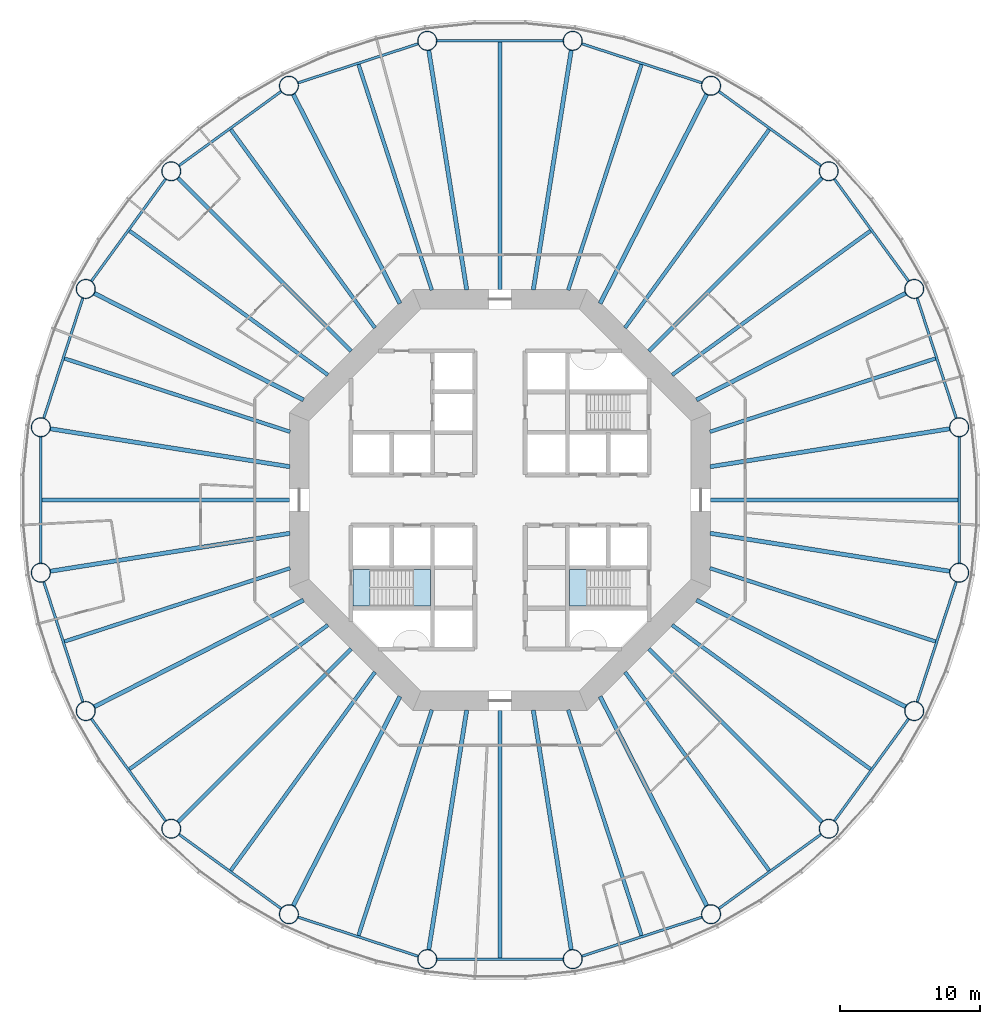
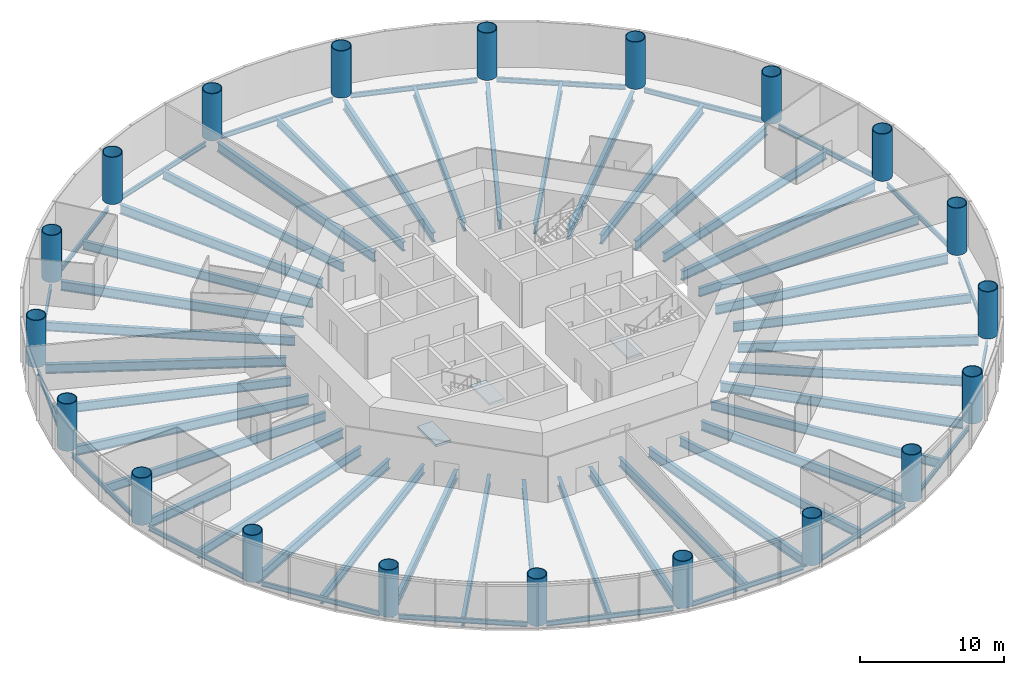
# One storey, part 1 of 12: 60 beams, 20 columns, 3 slabs, 2 elements without a shape of their own.
"""IFC4 building model written with IfcOpenShell, lengths in metres."""

from ifc_helpers import new_model, si_unit, direction, frame, origin, origin_2d, place, context, subcontext, project, spatial, polyline, circle, hollow_circle, i_section, outline, extrude, material, layer, layer_set, material_profile, profile_set, type_object, element, aggregate, save


model = new_model("IFC4")

# Units and contexts
model_context = context("Model", 3, precision=1e-05, world=origin(), true_north=direction((0.0, 1.0)))
body_context = subcontext(model_context, "Body", "Model", "MODEL_VIEW")
ifc_project = project(units=[si_unit("LENGTHUNIT", "METRE"), si_unit("AREAUNIT", "SQUARE_METRE"), si_unit("VOLUMEUNIT", "CUBIC_METRE"), si_unit("PLANEANGLEUNIT", "RADIAN"), si_unit("MASSUNIT", "GRAM", prefix="KILO")], contexts=[model_context])

# Site, building, storey
site_placement = place(None, origin())
site = spatial("IfcSite", under=ifc_project, at=site_placement, CompositionType="ELEMENT")
building_placement = place(site_placement, origin())
building = spatial("IfcBuilding", under=site, at=building_placement, Name="Entoto Ring Tower", CompositionType="ELEMENT")
storey_placement = place(building_placement, frame((0.0, 0.0, 66.0)))
storey = spatial("IfcBuildingStorey", under=building, at=storey_placement, Name="L14", CompositionType="ELEMENT", Elevation=66.0)

# Columns
ifc_material_1 = material(Name="Steel S355", Category="steel")
ifc_material_profile_1 = material_profile(ifc_material_1, hollow_circle(Radius=0.699951171875, WallThickness=0.06005859375, at=origin_2d()), Name="CHS 1400 x 60")
ifc_material_2 = material(Name="Concrete C60/75", Category="concrete")
ifc_material_profile_2 = material_profile(ifc_material_2, circle(Radius=0.639892578125, at=origin_2d()), Name="Concrete C60/75 infill")
ifc_profile_set_1 = profile_set([ifc_material_profile_1, ifc_material_profile_2], Name="Steel S355")
column_type = type_object("IfcColumnType", Name="Ring column 1400 x 60 concrete-filled tube", PredefinedType="COLUMN", material=ifc_profile_set_1)
for number, where, z_axis, x_axis, name in (
    (1, (122.6923828125, 85.177978515625, 0.0), (0.0, 0.0, 1.0), (1.0, 0.0, 0.0), "RC1 R01"),
    (2, (119.492431640625, 95.027099609375, 0.0), (0.0, 0.0, 1.0), (1.0, 0.0, 0.0), "RC1 R02"),
    (3, (113.4052734375, 103.4052734375, 0.0), (0.0, 0.0, 1.0), (1.0, 0.0, 0.0), "RC1 R03"),
    (4, (105.027099609375, 109.492431640625, 0.0), (0.0, 0.0, 1.0), (1.0, 0.0, 0.0), "RC1 R04"),
    (5, (95.177978515625, 112.6923828125, 0.0), (0.0, 0.0, 1.0), (1.0, 0.0, 0.0), "RC1 R05"),
    (6, (84.822021484375, 112.6923828125, 0.0), (0.0, 0.0, 1.0), (1.0, 0.0, 0.0), "RC1 R06"),
    (7, (74.972900390625, 109.492431640625, 0.0), (0.0, 0.0, 1.0), (1.0, 0.0, 0.0), "RC1 R07"),
    (8, (66.5947265625, 103.4052734375, 0.0), (0.0, 0.0, 1.0), (1.0, 0.0, 0.0), "RC1 R08"),
    (9, (60.507568359375, 95.027099609375, 0.0), (0.0, 0.0, 1.0), (1.0, 0.0, 0.0), "RC1 R09"),
    (10, (57.3076171875, 85.177978515625, 0.0), (0.0, 0.0, 1.0), (1.0, 0.0, 0.0), "RC1 R10"),
    (11, (57.3076171875, 74.822021484375, 0.0), (0.0, 0.0, 1.0), (1.0, 0.0, 0.0), "RC1 R11"),
    (12, (60.507568359375, 64.972900390625, 0.0), (0.0, 0.0, 1.0), (1.0, 0.0, 0.0), "RC1 R12"),
    (13, (66.5947265625, 56.5947265625, 0.0), (0.0, 0.0, 1.0), (1.0, 0.0, 0.0), "RC1 R13"),
    (14, (74.972900390625, 50.507568359375, 0.0), (0.0, 0.0, 1.0), (1.0, 0.0, 0.0), "RC1 R14"),
    (15, (84.822021484375, 47.3076171875, 0.0), (0.0, 0.0, 1.0), (1.0, 0.0, 0.0), "RC1 R15"),
    (16, (95.177978515625, 47.3076171875, 0.0), (0.0, 0.0, 1.0), (1.0, 0.0, 0.0), "RC1 R16"),
    (17, (105.027099609375, 50.507568359375, 0.0), (0.0, 0.0, 1.0), (1.0, 0.0, 0.0), "RC1 R17"),
    (18, (113.4052734375, 56.5947265625, 0.0), (0.0, 0.0, 1.0), (1.0, 0.0, 0.0), "RC1 R18"),
    (19, (119.492431640625, 64.972900390625, 0.0), (0.0, 0.0, 1.0), (1.0, 0.0, 0.0), "RC1 R19"),
    (20, (122.6923828125, 74.822021484375, 0.0), (0.0, 0.0, 1.0), (1.0, 0.0, 0.0), "RC1 R20"),
):
    element("IfcColumn", number, at=place(storey_placement, frame(where, z_axis=z_axis, x_axis=x_axis)), inside=storey, type_object=column_type, Name=name, PredefinedType="COLUMN", context=body_context, shape_type="SweptSolid", body=[
        extrude(hollow_circle(Radius=0.699951171875, WallThickness=0.06005859375, at=origin_2d()), origin(), (0.0, 0.0, 1.0), 4.0),
    ])

# Beams
ifc_material_3 = material(Name="Steel S355", Category="steel")
ifc_material_profile_3 = material_profile(ifc_material_3, i_section(OverallWidth=0.179931640625, OverallDepth=0.39990234375, WebThickness=0.008544921875, FlangeThickness=0.013427734375, FilletRadius=0.02099609375, at=origin_2d()), Name="IPE 400")
ifc_profile_set_2 = profile_set([ifc_material_profile_3], Name="Steel S355")
beam_type_1 = type_object("IfcBeamType", Name="Edge beam IPE 400", PredefinedType="SPANDREL", material=ifc_profile_set_2)
for number, where, z_axis, x_axis, name in (
    (21, (122.484130859375, 85.819091796875, -0.35009765625), (-0.309006400295, 0.951059958455, 0.0), (-0.951059958455, -0.309006400295, 0.0), "Edge beam L14 01"),
    (22, (119.09619140625, 95.572509765625, -0.35009765625), (-0.587792917156, 0.80901142547, 0.0), (-0.80901142547, -0.587792917156, 0.0), "Edge beam L14 02"),
    (23, (112.85986328125, 103.801513671875, -0.35009765625), (-0.80901142547, 0.587792917156, 0.0), (-0.587792917156, -0.80901142547, 0.0), "Edge beam L14 03"),
    (24, (104.385986328125, 109.70068359375, -0.35009765625), (-0.951059958455, 0.309006400295, 0.0), (-0.309006400295, -0.951059958455, 0.0), "Edge beam L14 04"),
    (25, (94.50390625, 112.6923828125, -0.35009765625), (-1.0, 0.0, 0.0), (0.0, -1.0, 0.0), "Edge beam L14 05"),
    (26, (84.180908203125, 112.484130859375, -0.35009765625), (-0.951059958455, -0.309006400295, 0.0), (0.309006400295, -0.951059958455, 0.0), "Edge beam L14 06"),
    (27, (74.427490234375, 109.09619140625, -0.35009765625), (-0.80901142547, -0.587792917156, 0.0), (0.587792917156, -0.80901142547, 0.0), "Edge beam L14 07"),
    (28, (66.198486328125, 102.85986328125, -0.35009765625), (-0.587792917156, -0.80901142547, 0.0), (0.80901142547, -0.587792917156, 0.0), "Edge beam L14 08"),
    (29, (60.29931640625, 94.385986328125, -0.35009765625), (-0.309006400295, -0.951059958455, 0.0), (0.951059958455, -0.309006400295, 0.0), "Edge beam L14 09"),
    (30, (57.3076171875, 84.50390625, -0.35009765625), (0.0, -1.0, 0.0), (1.0, 0.0, 0.0), "Edge beam L14 10"),
    (31, (57.515869140625, 74.180908203125, -0.35009765625), (0.309006400295, -0.951059958455, 0.0), (0.951059958455, 0.309006400295, 0.0), "Edge beam L14 11"),
    (32, (60.90380859375, 64.427490234375, -0.35009765625), (0.587792917156, -0.80901142547, 0.0), (0.80901142547, 0.587792917156, 0.0), "Edge beam L14 12"),
    (33, (67.14013671875, 56.198486328125, -0.35009765625), (0.80901142547, -0.587792917156, 0.0), (0.587792917156, 0.80901142547, 0.0), "Edge beam L14 13"),
    (34, (75.614013671875, 50.29931640625, -0.35009765625), (0.951059958455, -0.309006400295, 0.0), (0.309006400295, 0.951059958455, 0.0), "Edge beam L14 14"),
    (35, (85.49609375, 47.3076171875, -0.35009765625), (1.0, 0.0, 0.0), (0.0, 1.0, 0.0), "Edge beam L14 15"),
    (36, (95.819091796875, 47.515869140625, -0.35009765625), (0.951059958455, 0.309006400295, 0.0), (-0.309006400295, 0.951059958455, 0.0), "Edge beam L14 16"),
    (37, (105.572509765625, 50.90380859375, -0.35009765625), (0.80901142547, 0.587792917156, 0.0), (-0.587792917156, 0.80901142547, 0.0), "Edge beam L14 17"),
    (38, (113.801513671875, 57.14013671875, -0.35009765625), (0.587792917156, 0.80901142547, 0.0), (-0.80901142547, 0.587792917156, 0.0), "Edge beam L14 18"),
    (39, (119.70068359375, 65.614013671875, -0.35009765625), (0.309006400295, 0.951059958455, 0.0), (-0.951059958455, 0.309006400295, 0.0), "Edge beam L14 19"),
    (40, (122.6923828125, 75.49609375, -0.35009765625), (0.0, 1.0, 0.0), (-1.0, 0.0, 0.0), "Edge beam L14 20"),
):
    element("IfcBeam", number, at=place(storey_placement, frame(where, z_axis=z_axis, x_axis=x_axis)), inside=storey, type_object=beam_type_1, Name=name, PredefinedType="SPANDREL", context=body_context, shape_type="SweptSolid", body=[
        extrude(i_section(OverallWidth=0.179931640625, OverallDepth=0.39990234375, WebThickness=0.008544921875, FlangeThickness=0.013427734375, FilletRadius=0.02099609375, at=origin_2d()), origin(), (0.0, 0.0, 1.0), 9.0078125),
    ])
ifc_material_4 = material(Name="Steel S355", Category="steel")
ifc_material_profile_4 = material_profile(ifc_material_4, i_section(OverallWidth=0.300048828125, OverallDepth=0.800048828125, WebThickness=0.017578125, FlangeThickness=0.032958984375, FilletRadius=0.030029296875, at=origin_2d()), Name="HE 800 B")
ifc_profile_set_3 = profile_set([ifc_material_profile_4], Name="Steel S355")
beam_type_2 = type_object("IfcBeamType", Name="Primary floor beam HE 800 B", PredefinedType="BEAM", material=ifc_profile_set_3)
beam_1_placement = place(storey_placement, frame((104.956787109375, 82.368896484375, -0.550048828125), z_axis=(0.98768775999, 0.156438130794, 0.0), x_axis=(-0.156438130794, 0.98768775999, 0.0)))
element("IfcBeam", 41, at=beam_1_placement, inside=storey, type_object=beam_type_2, Name="Primary L14 R01", PredefinedType="BEAM", context=body_context, shape_type="SweptSolid", body=[
    extrude(i_section(OverallWidth=0.300048828125, OverallDepth=0.800048828125, WebThickness=0.017578125, FlangeThickness=0.032958984375, FilletRadius=0.030029296875, at=origin_2d()), origin(), (0.0, 0.0, 1.0), 17.293212890625),
])
beam_2_placement = place(storey_placement, frame((103.99169921875, 87.129150390625, -0.550048828125), z_axis=(0.891007761657, 0.453988071063, 0.0), x_axis=(-0.453988071063, 0.891007761657, 0.0)))
element("IfcBeam", 42, at=beam_2_placement, inside=storey, type_object=beam_type_2, Name="Primary L14 R02", PredefinedType="BEAM", context=body_context, shape_type="SweptSolid", body=[
    extrude(i_section(OverallWidth=0.300048828125, OverallDepth=0.800048828125, WebThickness=0.017578125, FlangeThickness=0.032958984375, FilletRadius=0.030029296875, at=origin_2d()), origin(), (0.0, 0.0, 1.0), 16.733154296875),
])
beam_3_placement = place(storey_placement, frame((100.592529296875, 90.592529296875, -0.550048828125), z_axis=(0.707106781187, 0.707106781187, 0.0), x_axis=(-0.707106781187, 0.707106781187, 0.0)))
element("IfcBeam", 43, at=beam_3_placement, inside=storey, type_object=beam_type_2, Name="Primary L14 R03", PredefinedType="BEAM", context=body_context, shape_type="SweptSolid", body=[
    extrude(i_section(OverallWidth=0.300048828125, OverallDepth=0.800048828125, WebThickness=0.017578125, FlangeThickness=0.032958984375, FilletRadius=0.030029296875, at=origin_2d()), origin(), (0.0, 0.0, 1.0), 17.456298828125),
])
beam_4_placement = place(storey_placement, frame((97.129150390625, 93.99169921875, -0.550048828125), z_axis=(0.453988071063, 0.891007761657, 0.0), x_axis=(-0.891007761657, 0.453988071063, 0.0)))
element("IfcBeam", 44, at=beam_4_placement, inside=storey, type_object=beam_type_2, Name="Primary L14 R04", PredefinedType="BEAM", context=body_context, shape_type="SweptSolid", body=[
    extrude(i_section(OverallWidth=0.300048828125, OverallDepth=0.800048828125, WebThickness=0.017578125, FlangeThickness=0.032958984375, FilletRadius=0.030029296875, at=origin_2d()), origin(), (0.0, 0.0, 1.0), 16.733154296875),
])
for number, where, z_axis, x_axis, name in (
    (45, (92.368896484375, 94.956787109375, -0.550048828125), (0.156438130794, 0.98768775999, 0.0), (-0.98768775999, 0.156438130794, 0.0), "Primary L14 R05"),
    (46, (87.631103515625, 94.956787109375, -0.550048828125), (-0.156438130794, 0.98768775999, 0.0), (-0.98768775999, -0.156438130794, 0.0), "Primary L14 R06"),
):
    element("IfcBeam", number, at=place(storey_placement, frame(where, z_axis=z_axis, x_axis=x_axis)), inside=storey, type_object=beam_type_2, Name=name, PredefinedType="BEAM", context=body_context, shape_type="SweptSolid", body=[
        extrude(i_section(OverallWidth=0.300048828125, OverallDepth=0.800048828125, WebThickness=0.017578125, FlangeThickness=0.032958984375, FilletRadius=0.030029296875, at=origin_2d()), origin(), (0.0, 0.0, 1.0), 17.293212890625),
    ])
beam_5_placement = place(storey_placement, frame((82.870849609375, 93.99169921875, -0.550048828125), z_axis=(-0.453988071063, 0.891007761657, 0.0), x_axis=(-0.891007761657, -0.453988071063, 0.0)))
element("IfcBeam", 47, at=beam_5_placement, inside=storey, type_object=beam_type_2, Name="Primary L14 R07", PredefinedType="BEAM", context=body_context, shape_type="SweptSolid", body=[
    extrude(i_section(OverallWidth=0.300048828125, OverallDepth=0.800048828125, WebThickness=0.017578125, FlangeThickness=0.032958984375, FilletRadius=0.030029296875, at=origin_2d()), origin(), (0.0, 0.0, 1.0), 16.733154296875),
])
beam_6_placement = place(storey_placement, frame((79.407470703125, 90.592529296875, -0.550048828125), z_axis=(-0.707106781187, 0.707106781187, 0.0), x_axis=(-0.707106781187, -0.707106781187, 0.0)))
element("IfcBeam", 48, at=beam_6_placement, inside=storey, type_object=beam_type_2, Name="Primary L14 R08", PredefinedType="BEAM", context=body_context, shape_type="SweptSolid", body=[
    extrude(i_section(OverallWidth=0.300048828125, OverallDepth=0.800048828125, WebThickness=0.017578125, FlangeThickness=0.032958984375, FilletRadius=0.030029296875, at=origin_2d()), origin(), (0.0, 0.0, 1.0), 17.456298828125),
])
beam_7_placement = place(storey_placement, frame((76.00830078125, 87.129150390625, -0.550048828125), z_axis=(-0.891007761657, 0.453988071063, 0.0), x_axis=(-0.453988071063, -0.891007761657, 0.0)))
element("IfcBeam", 49, at=beam_7_placement, inside=storey, type_object=beam_type_2, Name="Primary L14 R09", PredefinedType="BEAM", context=body_context, shape_type="SweptSolid", body=[
    extrude(i_section(OverallWidth=0.300048828125, OverallDepth=0.800048828125, WebThickness=0.017578125, FlangeThickness=0.032958984375, FilletRadius=0.030029296875, at=origin_2d()), origin(), (0.0, 0.0, 1.0), 16.733154296875),
])
for number, where, z_axis, x_axis, name in (
    (50, (75.043212890625, 82.368896484375, -0.550048828125), (-0.98768775999, 0.156438130794, 0.0), (-0.156438130794, -0.98768775999, 0.0), "Primary L14 R10"),
    (51, (75.043212890625, 77.631103515625, -0.550048828125), (-0.98768775999, -0.156438130794, 0.0), (0.156438130794, -0.98768775999, 0.0), "Primary L14 R11"),
):
    element("IfcBeam", number, at=place(storey_placement, frame(where, z_axis=z_axis, x_axis=x_axis)), inside=storey, type_object=beam_type_2, Name=name, PredefinedType="BEAM", context=body_context, shape_type="SweptSolid", body=[
        extrude(i_section(OverallWidth=0.300048828125, OverallDepth=0.800048828125, WebThickness=0.017578125, FlangeThickness=0.032958984375, FilletRadius=0.030029296875, at=origin_2d()), origin(), (0.0, 0.0, 1.0), 17.293212890625),
    ])
beam_8_placement = place(storey_placement, frame((76.00830078125, 72.870849609375, -0.550048828125), z_axis=(-0.891007761657, -0.453988071063, 0.0), x_axis=(0.453988071063, -0.891007761657, 0.0)))
element("IfcBeam", 52, at=beam_8_placement, inside=storey, type_object=beam_type_2, Name="Primary L14 R12", PredefinedType="BEAM", context=body_context, shape_type="SweptSolid", body=[
    extrude(i_section(OverallWidth=0.300048828125, OverallDepth=0.800048828125, WebThickness=0.017578125, FlangeThickness=0.032958984375, FilletRadius=0.030029296875, at=origin_2d()), origin(), (0.0, 0.0, 1.0), 16.733154296875),
])
beam_9_placement = place(storey_placement, frame((79.407470703125, 69.407470703125, -0.550048828125), z_axis=(-0.707106781187, -0.707106781187, 0.0), x_axis=(0.707106781187, -0.707106781187, 0.0)))
element("IfcBeam", 53, at=beam_9_placement, inside=storey, type_object=beam_type_2, Name="Primary L14 R13", PredefinedType="BEAM", context=body_context, shape_type="SweptSolid", body=[
    extrude(i_section(OverallWidth=0.300048828125, OverallDepth=0.800048828125, WebThickness=0.017578125, FlangeThickness=0.032958984375, FilletRadius=0.030029296875, at=origin_2d()), origin(), (0.0, 0.0, 1.0), 17.456298828125),
])
beam_10_placement = place(storey_placement, frame((82.870849609375, 66.00830078125, -0.550048828125), z_axis=(-0.453988071063, -0.891007761657, 0.0), x_axis=(0.891007761657, -0.453988071063, 0.0)))
element("IfcBeam", 54, at=beam_10_placement, inside=storey, type_object=beam_type_2, Name="Primary L14 R14", PredefinedType="BEAM", context=body_context, shape_type="SweptSolid", body=[
    extrude(i_section(OverallWidth=0.300048828125, OverallDepth=0.800048828125, WebThickness=0.017578125, FlangeThickness=0.032958984375, FilletRadius=0.030029296875, at=origin_2d()), origin(), (0.0, 0.0, 1.0), 16.733154296875),
])
for number, where, z_axis, x_axis, name in (
    (55, (87.631103515625, 65.043212890625, -0.550048828125), (-0.156438130794, -0.98768775999, 0.0), (0.98768775999, -0.156438130794, 0.0), "Primary L14 R15"),
    (56, (92.368896484375, 65.043212890625, -0.550048828125), (0.156438130794, -0.98768775999, 0.0), (0.98768775999, 0.156438130794, 0.0), "Primary L14 R16"),
):
    element("IfcBeam", number, at=place(storey_placement, frame(where, z_axis=z_axis, x_axis=x_axis)), inside=storey, type_object=beam_type_2, Name=name, PredefinedType="BEAM", context=body_context, shape_type="SweptSolid", body=[
        extrude(i_section(OverallWidth=0.300048828125, OverallDepth=0.800048828125, WebThickness=0.017578125, FlangeThickness=0.032958984375, FilletRadius=0.030029296875, at=origin_2d()), origin(), (0.0, 0.0, 1.0), 17.293212890625),
    ])
beam_11_placement = place(storey_placement, frame((97.129150390625, 66.00830078125, -0.550048828125), z_axis=(0.453988071063, -0.891007761657, 0.0), x_axis=(0.891007761657, 0.453988071063, 0.0)))
element("IfcBeam", 57, at=beam_11_placement, inside=storey, type_object=beam_type_2, Name="Primary L14 R17", PredefinedType="BEAM", context=body_context, shape_type="SweptSolid", body=[
    extrude(i_section(OverallWidth=0.300048828125, OverallDepth=0.800048828125, WebThickness=0.017578125, FlangeThickness=0.032958984375, FilletRadius=0.030029296875, at=origin_2d()), origin(), (0.0, 0.0, 1.0), 16.733154296875),
])
beam_12_placement = place(storey_placement, frame((100.592529296875, 69.407470703125, -0.550048828125), z_axis=(0.707106781187, -0.707106781187, 0.0), x_axis=(0.707106781187, 0.707106781187, 0.0)))
element("IfcBeam", 58, at=beam_12_placement, inside=storey, type_object=beam_type_2, Name="Primary L14 R18", PredefinedType="BEAM", context=body_context, shape_type="SweptSolid", body=[
    extrude(i_section(OverallWidth=0.300048828125, OverallDepth=0.800048828125, WebThickness=0.017578125, FlangeThickness=0.032958984375, FilletRadius=0.030029296875, at=origin_2d()), origin(), (0.0, 0.0, 1.0), 17.456298828125),
])
beam_13_placement = place(storey_placement, frame((103.99169921875, 72.870849609375, -0.550048828125), z_axis=(0.891007761657, -0.453988071063, 0.0), x_axis=(0.453988071063, 0.891007761657, 0.0)))
element("IfcBeam", 59, at=beam_13_placement, inside=storey, type_object=beam_type_2, Name="Primary L14 R19", PredefinedType="BEAM", context=body_context, shape_type="SweptSolid", body=[
    extrude(i_section(OverallWidth=0.300048828125, OverallDepth=0.800048828125, WebThickness=0.017578125, FlangeThickness=0.032958984375, FilletRadius=0.030029296875, at=origin_2d()), origin(), (0.0, 0.0, 1.0), 16.733154296875),
])
beam_14_placement = place(storey_placement, frame((104.956787109375, 77.631103515625, -0.550048828125), z_axis=(0.98768775999, -0.156438130794, 0.0), x_axis=(0.156438130794, 0.98768775999, 0.0)))
element("IfcBeam", 60, at=beam_14_placement, inside=storey, type_object=beam_type_2, Name="Primary L14 R20", PredefinedType="BEAM", context=body_context, shape_type="SweptSolid", body=[
    extrude(i_section(OverallWidth=0.300048828125, OverallDepth=0.800048828125, WebThickness=0.017578125, FlangeThickness=0.032958984375, FilletRadius=0.030029296875, at=origin_2d()), origin(), (0.0, 0.0, 1.0), 17.293212890625),
])
ifc_material_5 = material(Name="Steel S355", Category="steel")
ifc_material_profile_5 = material_profile(ifc_material_5, i_section(OverallWidth=0.262939453125, OverallDepth=0.7529296875, WebThickness=0.011474609375, FlangeThickness=0.01708984375, FilletRadius=0.01708984375, at=origin_2d()), Name="IPE 750 x 137")
ifc_profile_set_4 = profile_set([ifc_material_profile_5], Name="Steel S355")
beam_type_3 = type_object("IfcBeamType", Name="Secondary floor beam IPE 750 x 137", PredefinedType="JOIST", material=ifc_profile_set_4)
beam_15_placement = place(storey_placement, frame((104.9404296875, 84.8544921875, -0.526611328125), z_axis=(0.951057855768, 0.30901287187, 0.0), x_axis=(-0.30901287187, 0.951057855768, 0.0)))
element("IfcBeam", 61, at=beam_15_placement, inside=storey, type_object=beam_type_3, Name="Secondary beam L14 01", PredefinedType="JOIST", context=body_context, shape_type="SweptSolid", body=[
    extrude(i_section(OverallWidth=0.262939453125, OverallDepth=0.7529296875, WebThickness=0.011474609375, FlangeThickness=0.01708984375, FilletRadius=0.01708984375, at=origin_2d()), origin(), (0.0, 0.0, 1.0), 16.893310546875),
])
for number, where, z_axis, x_axis, name in (
    (62, (102.25341796875, 88.902587890625, -0.526611328125), (0.809014194973, 0.58778910532, 0.0), (-0.58778910532, 0.809014194973, 0.0), "Secondary beam L14 02"),
    (63, (98.902587890625, 92.25341796875, -0.526611328125), (0.58778910532, 0.809014194973, 0.0), (-0.809014194973, 0.58778910532, 0.0), "Secondary beam L14 03"),
):
    element("IfcBeam", number, at=place(storey_placement, frame(where, z_axis=z_axis, x_axis=x_axis)), inside=storey, type_object=beam_type_3, Name=name, PredefinedType="JOIST", context=body_context, shape_type="SweptSolid", body=[
        extrude(i_section(OverallWidth=0.262939453125, OverallDepth=0.7529296875, WebThickness=0.011474609375, FlangeThickness=0.01708984375, FilletRadius=0.01708984375, at=origin_2d()), origin(), (0.0, 0.0, 1.0), 17.45654296875),
    ])
beam_16_placement = place(storey_placement, frame((94.8544921875, 94.9404296875, -0.526611328125), z_axis=(0.30901287187, 0.951057855768, 0.0), x_axis=(-0.951057855768, 0.30901287187, 0.0)))
element("IfcBeam", 64, at=beam_16_placement, inside=storey, type_object=beam_type_3, Name="Secondary beam L14 04", PredefinedType="JOIST", context=body_context, shape_type="SweptSolid", body=[
    extrude(i_section(OverallWidth=0.262939453125, OverallDepth=0.7529296875, WebThickness=0.011474609375, FlangeThickness=0.01708984375, FilletRadius=0.01708984375, at=origin_2d()), origin(), (0.0, 0.0, 1.0), 16.893310546875),
])
beam_17_placement = place(storey_placement, frame((90.0, 94.97998046875, -0.526611328125), z_axis=(0.0, 1.0, 0.0), x_axis=(-1.0, 0.0, 0.0)))
element("IfcBeam", 65, at=beam_17_placement, inside=storey, type_object=beam_type_3, Name="Secondary beam L14 05", PredefinedType="JOIST", context=body_context, shape_type="SweptSolid", body=[
    extrude(i_section(OverallWidth=0.262939453125, OverallDepth=0.7529296875, WebThickness=0.011474609375, FlangeThickness=0.01708984375, FilletRadius=0.01708984375, at=origin_2d()), origin(), (0.0, 0.0, 1.0), 17.62255859375),
])
beam_18_placement = place(storey_placement, frame((85.1455078125, 94.9404296875, -0.526611328125), z_axis=(-0.30901287187, 0.951057855768, 0.0), x_axis=(-0.951057855768, -0.30901287187, 0.0)))
element("IfcBeam", 66, at=beam_18_placement, inside=storey, type_object=beam_type_3, Name="Secondary beam L14 06", PredefinedType="JOIST", context=body_context, shape_type="SweptSolid", body=[
    extrude(i_section(OverallWidth=0.262939453125, OverallDepth=0.7529296875, WebThickness=0.011474609375, FlangeThickness=0.01708984375, FilletRadius=0.01708984375, at=origin_2d()), origin(), (0.0, 0.0, 1.0), 16.893310546875),
])
for number, where, z_axis, x_axis, name in (
    (67, (81.097412109375, 92.25341796875, -0.526611328125), (-0.58778910532, 0.809014194973, 0.0), (-0.809014194973, -0.58778910532, 0.0), "Secondary beam L14 07"),
    (68, (77.74658203125, 88.902587890625, -0.526611328125), (-0.809014194973, 0.58778910532, 0.0), (-0.58778910532, -0.809014194973, 0.0), "Secondary beam L14 08"),
):
    element("IfcBeam", number, at=place(storey_placement, frame(where, z_axis=z_axis, x_axis=x_axis)), inside=storey, type_object=beam_type_3, Name=name, PredefinedType="JOIST", context=body_context, shape_type="SweptSolid", body=[
        extrude(i_section(OverallWidth=0.262939453125, OverallDepth=0.7529296875, WebThickness=0.011474609375, FlangeThickness=0.01708984375, FilletRadius=0.01708984375, at=origin_2d()), origin(), (0.0, 0.0, 1.0), 17.45654296875),
    ])
beam_19_placement = place(storey_placement, frame((75.0595703125, 84.8544921875, -0.526611328125), z_axis=(-0.951057855768, 0.30901287187, 0.0), x_axis=(-0.30901287187, -0.951057855768, 0.0)))
element("IfcBeam", 69, at=beam_19_placement, inside=storey, type_object=beam_type_3, Name="Secondary beam L14 09", PredefinedType="JOIST", context=body_context, shape_type="SweptSolid", body=[
    extrude(i_section(OverallWidth=0.262939453125, OverallDepth=0.7529296875, WebThickness=0.011474609375, FlangeThickness=0.01708984375, FilletRadius=0.01708984375, at=origin_2d()), origin(), (0.0, 0.0, 1.0), 16.893310546875),
])
beam_20_placement = place(storey_placement, frame((75.02001953125, 80.0, -0.526611328125), z_axis=(-1.0, 0.0, 0.0), x_axis=(0.0, -1.0, 0.0)))
element("IfcBeam", 70, at=beam_20_placement, inside=storey, type_object=beam_type_3, Name="Secondary beam L14 10", PredefinedType="JOIST", context=body_context, shape_type="SweptSolid", body=[
    extrude(i_section(OverallWidth=0.262939453125, OverallDepth=0.7529296875, WebThickness=0.011474609375, FlangeThickness=0.01708984375, FilletRadius=0.01708984375, at=origin_2d()), origin(), (0.0, 0.0, 1.0), 17.62255859375),
])
beam_21_placement = place(storey_placement, frame((75.0595703125, 75.1455078125, -0.526611328125), z_axis=(-0.951057855768, -0.30901287187, 0.0), x_axis=(0.30901287187, -0.951057855768, 0.0)))
element("IfcBeam", 71, at=beam_21_placement, inside=storey, type_object=beam_type_3, Name="Secondary beam L14 11", PredefinedType="JOIST", context=body_context, shape_type="SweptSolid", body=[
    extrude(i_section(OverallWidth=0.262939453125, OverallDepth=0.7529296875, WebThickness=0.011474609375, FlangeThickness=0.01708984375, FilletRadius=0.01708984375, at=origin_2d()), origin(), (0.0, 0.0, 1.0), 16.893310546875),
])
for number, where, z_axis, x_axis, name in (
    (72, (77.74658203125, 71.097412109375, -0.526611328125), (-0.809014194973, -0.58778910532, 0.0), (0.58778910532, -0.809014194973, 0.0), "Secondary beam L14 12"),
    (73, (81.097412109375, 67.74658203125, -0.526611328125), (-0.58778910532, -0.809014194973, 0.0), (0.809014194973, -0.58778910532, 0.0), "Secondary beam L14 13"),
):
    element("IfcBeam", number, at=place(storey_placement, frame(where, z_axis=z_axis, x_axis=x_axis)), inside=storey, type_object=beam_type_3, Name=name, PredefinedType="JOIST", context=body_context, shape_type="SweptSolid", body=[
        extrude(i_section(OverallWidth=0.262939453125, OverallDepth=0.7529296875, WebThickness=0.011474609375, FlangeThickness=0.01708984375, FilletRadius=0.01708984375, at=origin_2d()), origin(), (0.0, 0.0, 1.0), 17.45654296875),
    ])
beam_22_placement = place(storey_placement, frame((85.1455078125, 65.0595703125, -0.526611328125), z_axis=(-0.30901287187, -0.951057855768, 0.0), x_axis=(0.951057855768, -0.30901287187, 0.0)))
element("IfcBeam", 74, at=beam_22_placement, inside=storey, type_object=beam_type_3, Name="Secondary beam L14 14", PredefinedType="JOIST", context=body_context, shape_type="SweptSolid", body=[
    extrude(i_section(OverallWidth=0.262939453125, OverallDepth=0.7529296875, WebThickness=0.011474609375, FlangeThickness=0.01708984375, FilletRadius=0.01708984375, at=origin_2d()), origin(), (0.0, 0.0, 1.0), 16.893310546875),
])
beam_23_placement = place(storey_placement, frame((90.0, 65.02001953125, -0.526611328125), z_axis=(0.0, -1.0, 0.0), x_axis=(1.0, 0.0, 0.0)))
element("IfcBeam", 75, at=beam_23_placement, inside=storey, type_object=beam_type_3, Name="Secondary beam L14 15", PredefinedType="JOIST", context=body_context, shape_type="SweptSolid", body=[
    extrude(i_section(OverallWidth=0.262939453125, OverallDepth=0.7529296875, WebThickness=0.011474609375, FlangeThickness=0.01708984375, FilletRadius=0.01708984375, at=origin_2d()), origin(), (0.0, 0.0, 1.0), 17.62255859375),
])
beam_24_placement = place(storey_placement, frame((94.8544921875, 65.0595703125, -0.526611328125), z_axis=(0.30901287187, -0.951057855768, 0.0), x_axis=(0.951057855768, 0.30901287187, 0.0)))
element("IfcBeam", 76, at=beam_24_placement, inside=storey, type_object=beam_type_3, Name="Secondary beam L14 16", PredefinedType="JOIST", context=body_context, shape_type="SweptSolid", body=[
    extrude(i_section(OverallWidth=0.262939453125, OverallDepth=0.7529296875, WebThickness=0.011474609375, FlangeThickness=0.01708984375, FilletRadius=0.01708984375, at=origin_2d()), origin(), (0.0, 0.0, 1.0), 16.893310546875),
])
for number, where, z_axis, x_axis, name in (
    (77, (98.902587890625, 67.74658203125, -0.526611328125), (0.58778910532, -0.809014194973, 0.0), (0.809014194973, 0.58778910532, 0.0), "Secondary beam L14 17"),
    (78, (102.25341796875, 71.097412109375, -0.526611328125), (0.809014194973, -0.58778910532, 0.0), (0.58778910532, 0.809014194973, 0.0), "Secondary beam L14 18"),
):
    element("IfcBeam", number, at=place(storey_placement, frame(where, z_axis=z_axis, x_axis=x_axis)), inside=storey, type_object=beam_type_3, Name=name, PredefinedType="JOIST", context=body_context, shape_type="SweptSolid", body=[
        extrude(i_section(OverallWidth=0.262939453125, OverallDepth=0.7529296875, WebThickness=0.011474609375, FlangeThickness=0.01708984375, FilletRadius=0.01708984375, at=origin_2d()), origin(), (0.0, 0.0, 1.0), 17.45654296875),
    ])
beam_25_placement = place(storey_placement, frame((104.9404296875, 75.1455078125, -0.526611328125), z_axis=(0.951057855768, -0.30901287187, 0.0), x_axis=(0.30901287187, 0.951057855768, 0.0)))
element("IfcBeam", 79, at=beam_25_placement, inside=storey, type_object=beam_type_3, Name="Secondary beam L14 19", PredefinedType="JOIST", context=body_context, shape_type="SweptSolid", body=[
    extrude(i_section(OverallWidth=0.262939453125, OverallDepth=0.7529296875, WebThickness=0.011474609375, FlangeThickness=0.01708984375, FilletRadius=0.01708984375, at=origin_2d()), origin(), (0.0, 0.0, 1.0), 16.893310546875),
])
beam_26_placement = place(storey_placement, frame((104.97998046875, 80.0, -0.526611328125), z_axis=(1.0, 0.0, 0.0), x_axis=(0.0, 1.0, 0.0)))
element("IfcBeam", 80, at=beam_26_placement, inside=storey, type_object=beam_type_3, Name="Secondary beam L14 20", PredefinedType="JOIST", context=body_context, shape_type="SweptSolid", body=[
    extrude(i_section(OverallWidth=0.262939453125, OverallDepth=0.7529296875, WebThickness=0.011474609375, FlangeThickness=0.01708984375, FilletRadius=0.01708984375, at=origin_2d()), origin(), (0.0, 0.0, 1.0), 17.62255859375),
])

# Stair, slabs
ifc_material_6 = material(Name="Concrete C40/50", Category="concrete")
stair_type = type_object("IfcStairType", Name="Exit stair 1200 mm dog-leg reinforced concrete", PredefinedType="HALF_TURN_STAIR", material=ifc_material_6)
stair_1_placement = place(storey_placement, origin())
stair_1 = element("IfcStair", 81, at=stair_1_placement, inside=storey, type_object=stair_type, Name="Exit stair 2", PredefinedType="HALF_TURN_STAIR")
ifc_material_7 = material(Name="Concrete C40/50", Category="concrete")
ifc_layer = layer(ifc_material_7, 0.199951171875)
ifc_layer_set = layer_set([ifc_layer], Name="Concrete C40/50")
slab_type = type_object("IfcSlabType", Name="Stair landing 200 mm reinforced concrete", PredefinedType="LANDING", material=ifc_layer_set)
slab_1_placement = place(storey_placement, frame((0.0, 0.0, -0.199951171875)))
slab_1 = element("IfcSlab", 82, at=slab_1_placement, type_object=slab_type, Name="ST2 landing 1", PredefinedType="LANDING", context=body_context, shape_type="SweptSolid", body=[
    extrude(outline(polyline([(80.75, 72.449951171875), (80.75, 75.050048828125), (79.550048828125, 75.050048828125), (79.550048828125, 72.449951171875), (80.75, 72.449951171875)])), origin(), (0.0, 0.0, 1.0), 0.199951171875),
])
slab_2_placement = place(storey_placement, frame((0.0, 0.0, 1.800048828125)))
slab_2 = element("IfcSlab", 83, at=slab_2_placement, type_object=slab_type, Name="ST2 landing 2", PredefinedType="LANDING", context=body_context, shape_type="SweptSolid", body=[
    extrude(outline(polyline([(83.830078125, 72.449951171875), (85.050048828125, 72.449951171875), (85.050048828125, 75.050048828125), (83.830078125, 75.050048828125), (83.830078125, 72.449951171875)])), origin(), (0.0, 0.0, 1.0), 0.199951171875),
])
aggregate(stair_1, [slab_1, slab_2])

# Stair, slab
stair_2_placement = place(storey_placement, origin())
stair_2 = element("IfcStair", 84, at=stair_2_placement, inside=storey, type_object=stair_type, Name="Exit stair 3", PredefinedType="HALF_TURN_STAIR")
slab_3_placement = place(storey_placement, frame((0.0, 0.0, 1.800048828125)))
slab_3 = element("IfcSlab", 85, at=slab_3_placement, type_object=slab_type, Name="ST3 landing 2", PredefinedType="LANDING", context=body_context, shape_type="SweptSolid", body=[
    extrude(outline(polyline([(94.949951171875, 72.449951171875), (96.169921875, 72.449951171875), (96.169921875, 75.050048828125), (94.949951171875, 75.050048828125), (94.949951171875, 72.449951171875)])), origin(), (0.0, 0.0, 1.0), 0.199951171875),
])
aggregate(stair_2, [slab_3])

save(model, "model.ifc")
